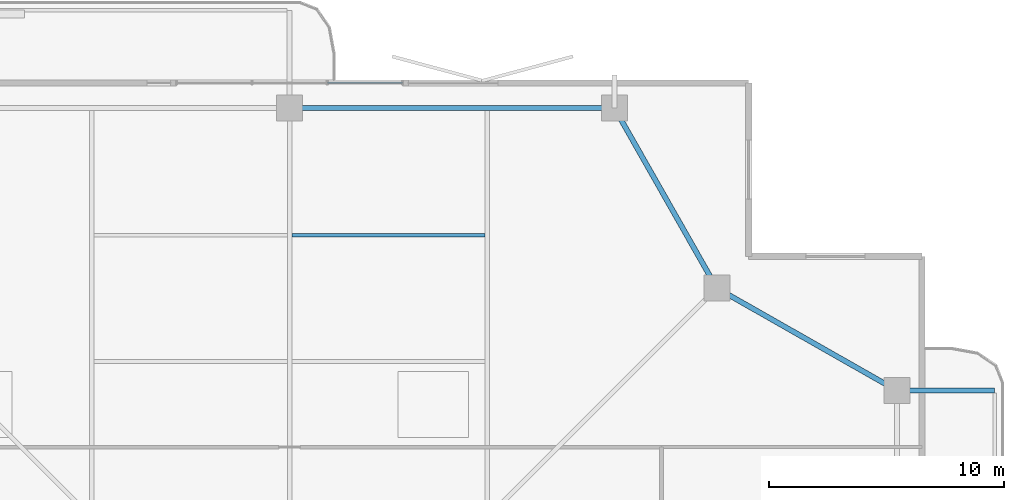
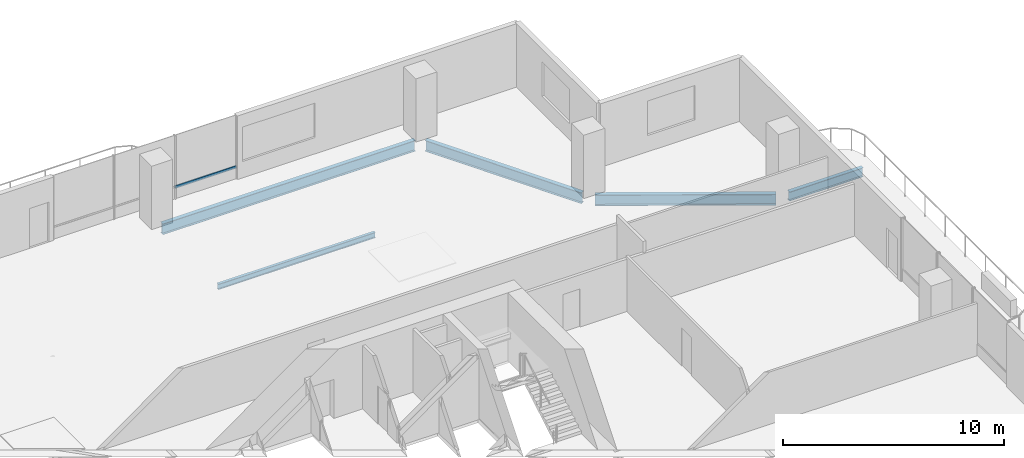
# One storey, part 14 of 24: 5 beams, 1 member, 1 element without a shape of its own.
"""IFC4 building model written with IfcOpenShell, lengths in metres."""

from ifc_helpers import new_model, si_unit, direction, frame, origin, origin_2d, place, context, subcontext, project, spatial, hollow_rectangle, i_section, extrude, material, layer, layer_set, material_profile, profile_set, type_object, element, aggregate, save


model = new_model("IFC4")

# Units and contexts
model_context = context("Model", 3, precision=1e-05, world=origin(), true_north=direction((0.0, 1.0)))
body_context = subcontext(model_context, "Body", "Model", "MODEL_VIEW")
ifc_project = project(units=[si_unit("LENGTHUNIT", "METRE"), si_unit("AREAUNIT", "SQUARE_METRE"), si_unit("VOLUMEUNIT", "CUBIC_METRE"), si_unit("PLANEANGLEUNIT", "RADIAN"), si_unit("MASSUNIT", "GRAM", prefix="KILO")], contexts=[model_context])

# Site, building, storey
site_placement = place(None, origin())
site = spatial("IfcSite", under=ifc_project, at=site_placement, CompositionType="ELEMENT")
building_placement = place(site_placement, origin())
building = spatial("IfcBuilding", under=site, at=building_placement, Name="Belovzor Exchange Tower", CompositionType="ELEMENT")
storey_placement = place(building_placement, frame((0.0, 0.0, 214.949951171875)))
storey = spatial("IfcBuildingStorey", under=building, at=storey_placement, Name="L53", CompositionType="ELEMENT", Elevation=214.949951171875)

# Beams
ifc_material_1 = material(Name="Steel S355", Category="steel")
ifc_material_profile_1 = material_profile(ifc_material_1, i_section(OverallWidth=0.199951171875, OverallDepth=0.5, WebThickness=0.01025390625, FlangeThickness=0.01611328125, at=origin_2d()))
ifc_profile_set_1 = profile_set([ifc_material_profile_1], Name="Steel S355")
beam_type_1 = type_object("IfcBeamType", Name="Planted Balcony Cantilever Beam IPE 500", PredefinedType="BEAM", material=ifc_profile_set_1)
beam_1_placement = place(storey_placement, frame((54.903076171875, 42.60009765625, -0.5), z_axis=(1.0, 0.0, 0.0), x_axis=(0.0, 1.0, 0.0)))
element("IfcBeam", 1, at=beam_1_placement, inside=storey, type_object=beam_type_1, Name="BC-500 Planted Balcony Cantilever Beam IPE 500", PredefinedType="BEAM", context=body_context, shape_type="SweptSolid", body=[
    extrude(i_section(OverallWidth=0.199951171875, OverallDepth=0.5, WebThickness=0.01025390625, FlangeThickness=0.01611328125, at=origin_2d()), origin(), (0.0, 0.0, 1.0), 3.849853515625),
])
ifc_material_2 = material(Name="Steel S355", Category="steel")
ifc_material_profile_2 = material_profile(ifc_material_2, i_section(OverallWidth=0.14990234375, OverallDepth=0.300048828125, WebThickness=0.007080078125, FlangeThickness=0.0107421875, at=origin_2d()))
ifc_profile_set_2 = profile_set([ifc_material_profile_2], Name="Steel S355")
beam_type_2 = type_object("IfcBeamType", Name="Secondary Trim Floor Joist IPE 300", PredefinedType="BEAM", material=ifc_profile_set_2)
beam_2_placement = place(storey_placement, frame((28.89501953125, 49.18701171875, -0.39990234375), z_axis=(1.0, 0.0, 0.0), x_axis=(0.0, 1.0, 0.0)))
element("IfcBeam", 2, at=beam_2_placement, inside=storey, type_object=beam_type_2, Name="FJ-300 Secondary Trim Floor Joist IPE 300", PredefinedType="BEAM", context=body_context, shape_type="SweptSolid", body=[
    extrude(i_section(OverallWidth=0.14990234375, OverallDepth=0.300048828125, WebThickness=0.007080078125, FlangeThickness=0.0107421875, at=origin_2d()), origin(), (0.0, 0.0, 1.0), 8.2099609375),
])

# Curtain wall, member
ifc_material_3 = material(Name="Anodised Aluminium Framing", Category="aluminium")
ifc_layer = layer(ifc_material_3, 0.179931640625)
ifc_layer_set = layer_set([ifc_layer], Name="Anodised Aluminium Framing")
curtain_wall_type = type_object("IfcCurtainWallType", Name="Recessed Loggia Low-Iron Triple-Glazed Curtain Wall", PredefinedType="NOTDEFINED", material=ifc_layer_set)
curtain_wall_placement = place(storey_placement, origin())
curtain_wall = element("IfcCurtainWall", 3, at=curtain_wall_placement, inside=storey, type_object=curtain_wall_type, Name="CW3 Recessed Loggia Low-Iron Triple-Glazed Curtain Wall L53", PredefinedType="NOTDEFINED")
ifc_material_4 = material(Name="Steel S355", Category="steel")
ifc_material_profile_3 = material_profile(ifc_material_4, hollow_rectangle(XDim=0.06005859375, YDim=0.14990234375, WallThickness=0.00390625, at=origin_2d()))
ifc_profile_set_3 = profile_set([ifc_material_profile_3], Name="Steel S355")
member_type = type_object("IfcMemberType", Name="Thermally Broken Curtain Wall Transom 150x60", PredefinedType="USERDEFINED", material=ifc_profile_set_3)
member_placement = place(storey_placement, frame((30.407958984375, 55.669921875, 0.630126953125), z_axis=(1.0, 0.0, 0.0), x_axis=(0.0, 1.0, 0.0)))
member = element("IfcMember", 4, at=member_placement, type_object=member_type, Name="CW-T150 Curtain Wall Transom 3", ObjectType="TRANSOM", PredefinedType="USERDEFINED", context=body_context, shape_type="SweptSolid", body=[
    extrude(hollow_rectangle(XDim=0.06005859375, YDim=0.14990234375, WallThickness=0.00390625, at=origin_2d()), origin(), (0.0, 0.0, 1.0), 3.18408203125),
])
aggregate(curtain_wall, [member])

# Beams
ifc_material_5 = material(Name="Steel S355", Category="steel")
ifc_material_profile_4 = material_profile(ifc_material_5, i_section(OverallWidth=0.219970703125, OverallDepth=0.60009765625, WebThickness=0.011962890625, FlangeThickness=0.01904296875, at=origin_2d()))
ifc_profile_set_4 = profile_set([ifc_material_profile_4], Name="Steel S355")
beam_type_3 = type_object("IfcBeamType", Name="Zone 4 Flare Primary Girder IPE 600", PredefinedType="BEAM", material=ifc_profile_set_4)
for number, where, z_axis, x_axis, name in (
    (5, (54.3369140625, 42.75, -0.550048828125), (-0.869335547884, 0.494222323641, 0.0), (-0.494222323641, -0.869335547884, 0.0), "FG-Z4 Zone 4 Flare Primary Girder IPE 600"),
    (6, (46.800048828125, 47.212890625, -0.550048828125), (-0.494222323641, 0.869335547884, 0.0), (-0.869335547884, -0.494222323641, 0.0), "FG-Z4 Zone 4 Flare Primary Girder IPE 600"),
):
    element("IfcBeam", number, at=place(storey_placement, frame(where, z_axis=z_axis, x_axis=x_axis)), inside=storey, type_object=beam_type_3, Name=name, PredefinedType="BEAM", context=body_context, shape_type="SweptSolid", body=[
        extrude(i_section(OverallWidth=0.219970703125, OverallDepth=0.60009765625, WebThickness=0.011962890625, FlangeThickness=0.01904296875, at=origin_2d()), origin(), (0.0, 0.0, 1.0), 8.19482421875),
    ])
beam_3_placement = place(storey_placement, frame((42.297119140625, 54.60009765625, -0.550048828125), z_axis=(-1.0, 0.0, 0.0), x_axis=(0.0, -1.0, 0.0)))
element("IfcBeam", 7, at=beam_3_placement, inside=storey, type_object=beam_type_3, Name="FG-Z4 Zone 4 Flare Primary Girder IPE 600", PredefinedType="BEAM", context=body_context, shape_type="SweptSolid", body=[
    extrude(i_section(OverallWidth=0.219970703125, OverallDepth=0.60009765625, WebThickness=0.011962890625, FlangeThickness=0.01904296875, at=origin_2d()), origin(), (0.0, 0.0, 1.0), 13.195068359375),
])

save(model, "model.ifc")
